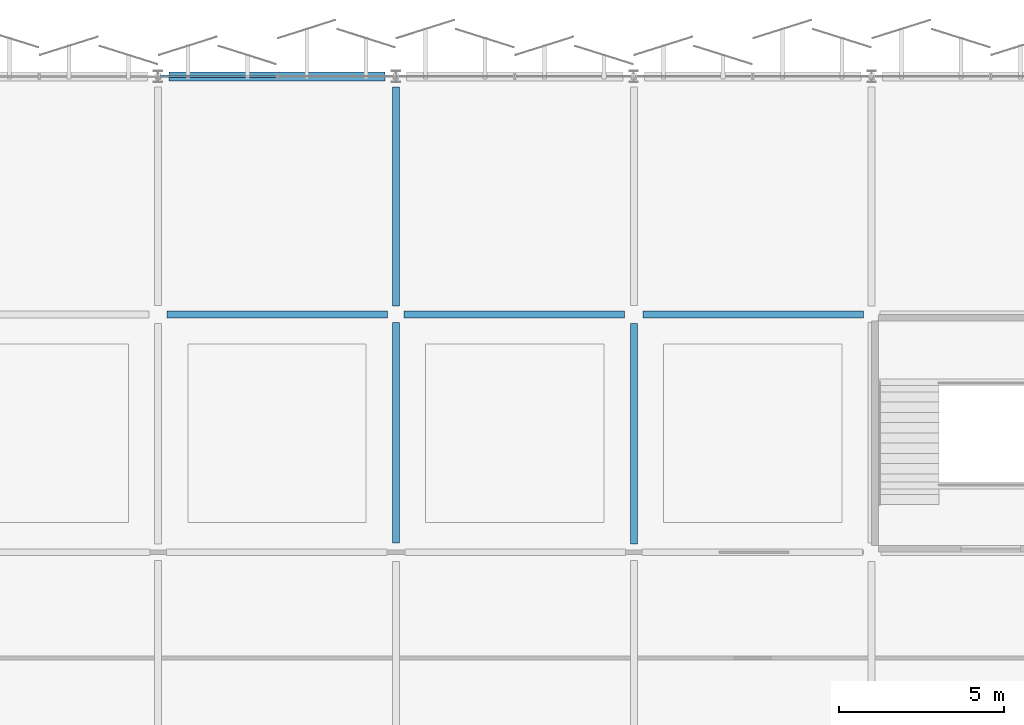
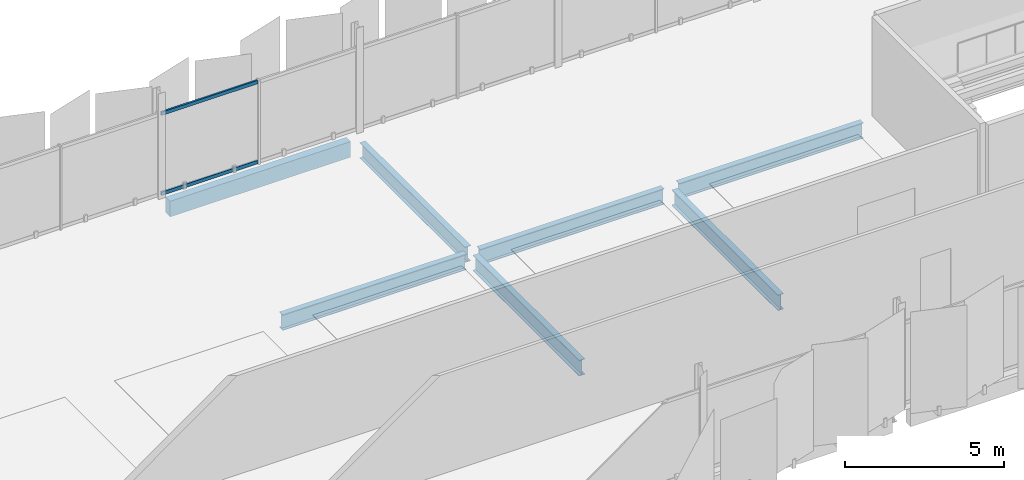
# One storey, part 33 of 91: 7 beams, 2 members, 1 element without a shape of its own.
"""IFC4 building model written with IfcOpenShell, lengths in metres."""

from ifc_helpers import new_model, si_unit, direction, frame, origin, origin_2d, place, context, subcontext, project, spatial, rectangle, hollow_rectangle, i_section, extrude, material, layer, layer_set, material_profile, profile_set, type_object, element, aggregate, save


model = new_model("IFC4")

# Units and contexts
model_context = context("Model", 3, precision=1e-05, world=origin(), true_north=direction((0.0, 1.0)))
body_context = subcontext(model_context, "Body", "Model", "MODEL_VIEW")
ifc_project = project(units=[si_unit("LENGTHUNIT", "METRE"), si_unit("AREAUNIT", "SQUARE_METRE"), si_unit("VOLUMEUNIT", "CUBIC_METRE"), si_unit("PLANEANGLEUNIT", "RADIAN"), si_unit("MASSUNIT", "GRAM", prefix="KILO")], contexts=[model_context])

# Site, building, storey
site_placement = place(None, origin())
site = spatial("IfcSite", under=ifc_project, at=site_placement, CompositionType="ELEMENT")
building_placement = place(site_placement, origin())
building = spatial("IfcBuilding", under=site, at=building_placement, Name="Kangsadwip Square Police Headquarters", CompositionType="ELEMENT")
storey_placement = place(building_placement, frame((0.0, 0.0, 13.5)))
storey = spatial("IfcBuildingStorey", under=building, at=storey_placement, Name="L03", CompositionType="ELEMENT", Elevation=13.5)

# Curtain wall, members
ifc_material_1 = material(Name="Thermally broken anodised aluminium AW-6063-T6", Category="aluminium")
ifc_layer = layer(ifc_material_1, 0.159912109375)
ifc_layer_set = layer_set([ifc_layer], Name="Thermally broken anodised aluminium AW-6063-T6")
curtain_wall_type = type_object("IfcCurtainWallType", Name="UnitisedCw7180x3200", PredefinedType="NOTDEFINED", material=ifc_layer_set)
curtain_wall_placement = place(storey_placement, origin())
curtain_wall = element("IfcCurtainWall", 1, at=curtain_wall_placement, inside=storey, type_object=curtain_wall_type, Name="Curtain Wall CW-L03-1080-1152", PredefinedType="NOTDEFINED")
ifc_material_2 = material(Name="Thermally broken anodised aluminium AW-6063-T6", Category="aluminium")
ifc_material_profile_1 = material_profile(ifc_material_2, hollow_rectangle(XDim=0.06494140625, YDim=0.1298828125, WallThickness=0.00390625, at=origin_2d()), Name="CWT 130X65X4")
ifc_profile_set_1 = profile_set([ifc_material_profile_1], Name="Thermally broken anodised aluminium AW-6063-T6")
member_type = type_object("IfcMemberType", Name="CwTransom140x60", PredefinedType="USERDEFINED", material=ifc_profile_set_1)
member_1_placement = place(storey_placement, frame((108.074951171875, 115.199951171875, 0.06494140625), z_axis=(1.0, 0.0, 0.0), x_axis=(0.0, 1.0, 0.0)))
member_1 = element("IfcMember", 2, at=member_1_placement, type_object=member_type, Name="CW-38 transom 1.1", ObjectType="TRANSOM", PredefinedType="USERDEFINED", context=body_context, shape_type="SweptSolid", body=[
    extrude(hollow_rectangle(XDim=0.06494140625, YDim=0.1298828125, WallThickness=0.00390625, at=origin_2d()), origin(), (0.0, 0.0, 1.0), 3.492431640625),
])
member_2_placement = place(storey_placement, frame((108.074951171875, 115.199951171875, 3.135009765625), z_axis=(1.0, 0.0, 0.0), x_axis=(0.0, 1.0, 0.0)))
member_2 = element("IfcMember", 3, at=member_2_placement, type_object=member_type, Name="CW-38 transom 1.2", ObjectType="TRANSOM", PredefinedType="USERDEFINED", context=body_context, shape_type="SweptSolid", body=[
    extrude(hollow_rectangle(XDim=0.06494140625, YDim=0.1298828125, WallThickness=0.00390625, at=origin_2d()), origin(), (0.0, 0.0, 1.0), 3.492431640625),
])
aggregate(curtain_wall, [member_1, member_2])

# Beams
ifc_material_3 = material(Name="Concrete M40 (40 MPa)", Category="concrete")
ifc_material_profile_2 = material_profile(ifc_material_3, rectangle(XDim=0.280029296875, YDim=0.60009765625, at=origin_2d()), Name="RC SPN 600X280")
ifc_profile_set_2 = profile_set([ifc_material_profile_2], Name="Concrete M40 (40 MPa)")
beam_type_1 = type_object("IfcBeamType", Name="RcSpandrel600x280", PredefinedType="SPANDREL", material=ifc_profile_set_2)
beam_1_placement = place(storey_placement, frame((108.324951171875, 115.199951171875, -0.5400390625), z_axis=(1.0, 0.0, 0.0), x_axis=(0.0, 1.0, 0.0)))
element("IfcBeam", 4, at=beam_1_placement, inside=storey, type_object=beam_type_1, Name="Beam BM-L03-X-15-16", PredefinedType="SPANDREL", context=body_context, shape_type="SweptSolid", body=[
    extrude(rectangle(XDim=0.280029296875, YDim=0.60009765625, at=origin_2d()), origin(), (0.0, 0.0, 1.0), 6.550048828125),
])
ifc_material_4 = material(Name="Structural steel IS 2062 E350 (Grade 350, 350 MPa)", Category="steel")
ifc_material_profile_3 = material_profile(ifc_material_4, i_section(OverallWidth=0.2099609375, OverallDepth=0.60009765625, WebThickness=0.011962890625, FlangeThickness=0.020751953125, at=origin_2d()), Name="ISMB 600")
ifc_profile_set_3 = profile_set([ifc_material_profile_3], Name="Structural steel IS 2062 E350 (Grade 350, 350 MPa)")
beam_type_2 = type_object("IfcBeamType", Name="SteelBeamIsmb600", PredefinedType="BEAM", material=ifc_profile_set_3)
for number, where, z_axis, x_axis, name in (
    (5, (108.27490234375, 108.0, -0.5400390625), (1.0, 0.0, 0.0), (0.0, 1.0, 0.0), "Beam BM-L03-X-15-15"),
    (6, (115.449951171875, 108.0, -0.5400390625), (1.0, 0.0, 0.0), (0.0, 1.0, 0.0), "Beam BM-L03-X-16-15"),
    (7, (122.675048828125, 108.0, -0.5400390625), (1.0, 0.0, 0.0), (0.0, 1.0, 0.0), "Beam BM-L03-X-17-15"),
    (8, (115.199951171875, 101.074951171875, -0.5400390625), (0.0, 1.0, 0.0), (-1.0, 0.0, 0.0), "Beam BM-L03-Y-16-14"),
):
    element("IfcBeam", number, at=place(storey_placement, frame(where, z_axis=z_axis, x_axis=x_axis)), inside=storey, type_object=beam_type_2, Name=name, PredefinedType="BEAM", context=body_context, shape_type="SweptSolid", body=[
        extrude(i_section(OverallWidth=0.2099609375, OverallDepth=0.60009765625, WebThickness=0.011962890625, FlangeThickness=0.020751953125, at=origin_2d()), origin(), (0.0, 0.0, 1.0), 6.675048828125),
    ])
beam_2_placement = place(storey_placement, frame((115.199951171875, 108.25, -0.5400390625), z_axis=(0.0, 1.0, 0.0), x_axis=(-1.0, 0.0, 0.0)))
element("IfcBeam", 9, at=beam_2_placement, inside=storey, type_object=beam_type_2, Name="Beam BM-L03-Y-16-15", PredefinedType="BEAM", context=body_context, shape_type="SweptSolid", body=[
    extrude(i_section(OverallWidth=0.2099609375, OverallDepth=0.60009765625, WebThickness=0.011962890625, FlangeThickness=0.020751953125, at=origin_2d()), origin(), (0.0, 0.0, 1.0), 6.625),
])
beam_3_placement = place(storey_placement, frame((122.39990234375, 101.050048828125, -0.5400390625), z_axis=(0.0, 1.0, 0.0), x_axis=(-1.0, 0.0, 0.0)))
element("IfcBeam", 10, at=beam_3_placement, inside=storey, type_object=beam_type_2, Name="Beam BM-L03-Y-17-14", PredefinedType="BEAM", context=body_context, shape_type="SweptSolid", body=[
    extrude(i_section(OverallWidth=0.2099609375, OverallDepth=0.60009765625, WebThickness=0.011962890625, FlangeThickness=0.020751953125, at=origin_2d()), origin(), (0.0, 0.0, 1.0), 6.675048828125),
])

save(model, "model.ifc")
